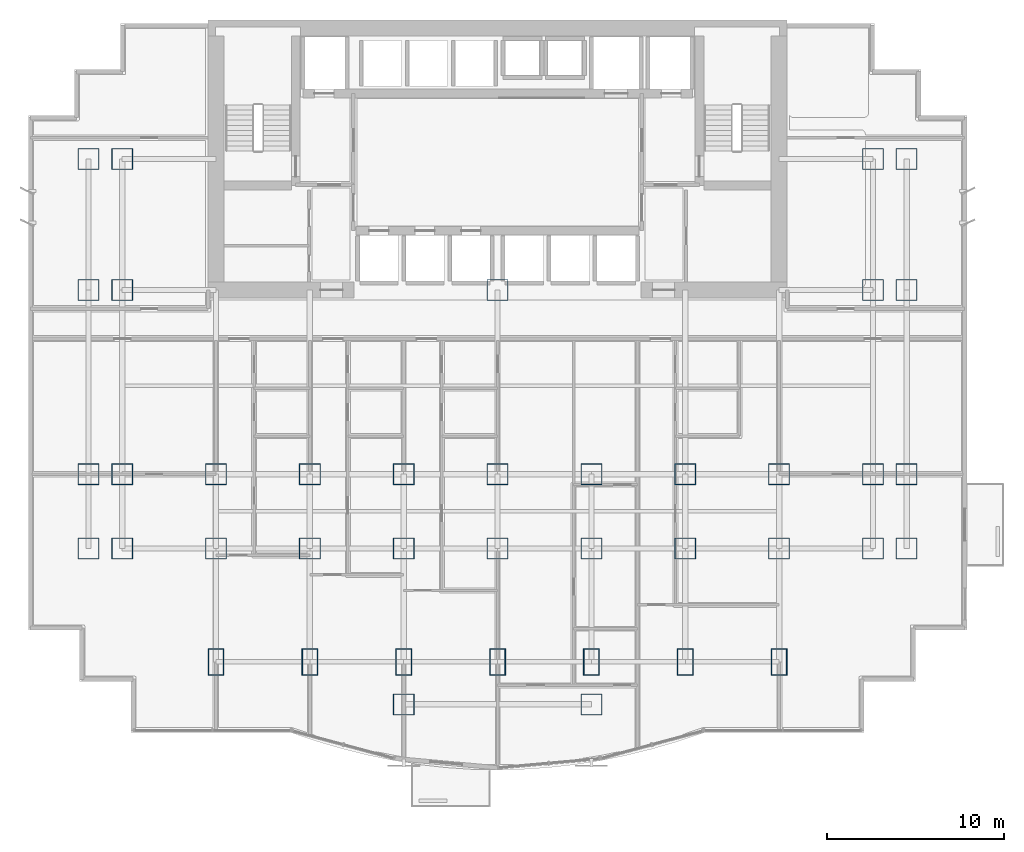
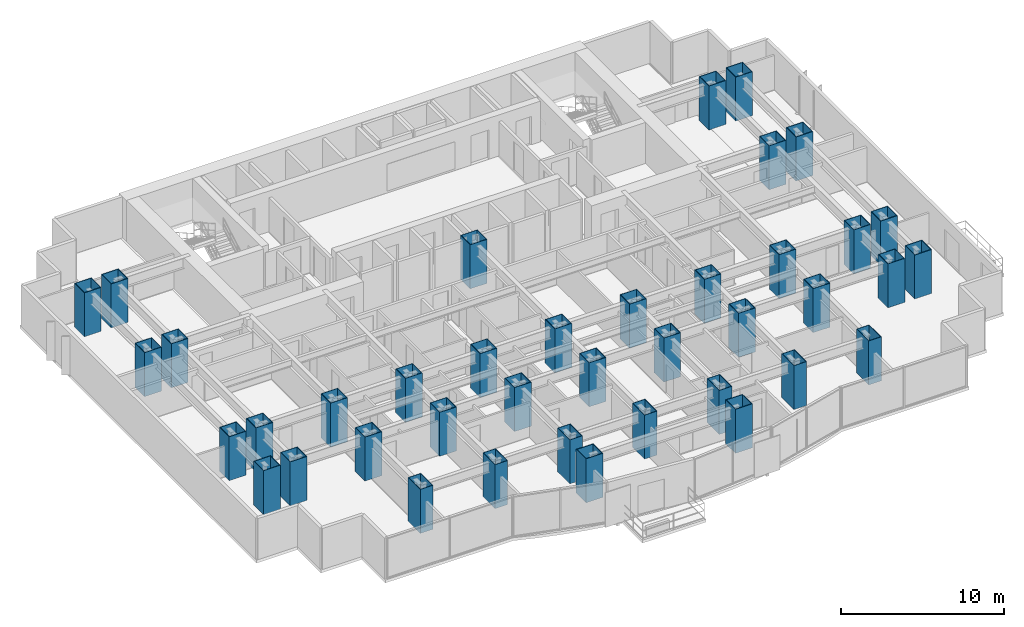
# One storey, part 1 of 10: 40 columns.
"""IFC4 building model written with IfcOpenShell, lengths in metres."""

from ifc_helpers import new_model, si_unit, direction, frame, origin, origin_2d, place, context, subcontext, project, spatial, hollow_rectangle, extrude, material, material_profile, profile_set, type_object, element, save


model = new_model("IFC4")

# Units and contexts
model_context = context("Model", 3, precision=1e-05, world=origin(), true_north=direction((0.0, 1.0)))
body_context = subcontext(model_context, "Body", "Model", "MODEL_VIEW")
ifc_project = project(units=[si_unit("LENGTHUNIT", "METRE"), si_unit("AREAUNIT", "SQUARE_METRE"), si_unit("VOLUMEUNIT", "CUBIC_METRE"), si_unit("PLANEANGLEUNIT", "RADIAN"), si_unit("MASSUNIT", "GRAM", prefix="KILO")], contexts=[model_context])

# Site, building, storey
site_placement = place(None, origin())
site = spatial("IfcSite", under=ifc_project, at=site_placement, CompositionType="ELEMENT")
building_placement = place(site_placement, origin())
building = spatial("IfcBuilding", under=site, at=building_placement, Name="Qianlan Lanfeng Residences", CompositionType="ELEMENT")
storey_placement = place(building_placement, frame((0.0, 0.0, 34.10009765625)))
storey = spatial("IfcBuildingStorey", under=building, at=storey_placement, Name="L08", CompositionType="ELEMENT", Elevation=34.10009765625)

# Columns
ifc_material_1 = material(Name="Steel SM570 (420 MPa)", Category="steel")
ifc_material_profile_1 = material_profile(ifc_material_1, hollow_rectangle(XDim=1.199951171875, YDim=1.199951171875, WallThickness=0.0400390625, at=origin_2d()), Name="BOX 1200x1200x40")
ifc_profile_set_1 = profile_set([ifc_material_profile_1], Name="Steel SM570 (420 MPa)")
column_type_1 = type_object("IfcColumnType", Name="C-B1400", PredefinedType="COLUMN", material=ifc_profile_set_1)
for number, where, z_axis, x_axis, name in (
    (1, (26.5, 25.199951171875, 0.0), (0.0, 0.0, 1.0), (1.0, 0.0, 0.0), "L08 Structural Column CP_26.5_25.2"),
    (2, (10.60009765625, 14.800048828125, 0.0), (0.0, 0.0, 1.0), (1.0, 0.0, 0.0), "L08 Structural Column M_10.60_14.80"),
    (3, (10.60009765625, 10.60009765625, 0.0), (0.0, 0.0, 1.0), (1.0, 0.0, 0.0), "L08 Structural Column G_10.60_10.60"),
    (4, (15.89990234375, 14.800048828125, 0.0), (0.0, 0.0, 1.0), (1.0, 0.0, 0.0), "L08 Structural Column M_15.90_14.80"),
    (5, (15.89990234375, 10.60009765625, 0.0), (0.0, 0.0, 1.0), (1.0, 0.0, 0.0), "L08 Structural Column G_15.90_10.60"),
    (6, (21.199951171875, 14.800048828125, 0.0), (0.0, 0.0, 1.0), (1.0, 0.0, 0.0), "L08 Structural Column M_21.20_14.80"),
    (7, (21.199951171875, 10.60009765625, 0.0), (0.0, 0.0, 1.0), (1.0, 0.0, 0.0), "L08 Structural Column G_21.20_10.60"),
    (8, (26.5, 14.800048828125, 0.0), (0.0, 0.0, 1.0), (1.0, 0.0, 0.0), "L08 Structural Column M_26.50_14.80"),
    (9, (26.5, 10.60009765625, 0.0), (0.0, 0.0, 1.0), (1.0, 0.0, 0.0), "L08 Structural Column G_26.50_10.60"),
    (10, (31.800048828125, 14.800048828125, 0.0), (0.0, 0.0, 1.0), (1.0, 0.0, 0.0), "L08 Structural Column M_31.80_14.80"),
    (11, (31.800048828125, 10.60009765625, 0.0), (0.0, 0.0, 1.0), (1.0, 0.0, 0.0), "L08 Structural Column G_31.80_10.60"),
    (12, (37.10009765625, 14.800048828125, 0.0), (0.0, 0.0, 1.0), (1.0, 0.0, 0.0), "L08 Structural Column M_37.10_14.80"),
    (13, (37.10009765625, 10.60009765625, 0.0), (0.0, 0.0, 1.0), (1.0, 0.0, 0.0), "L08 Structural Column G_37.10_10.60"),
    (14, (42.39990234375, 14.800048828125, 0.0), (0.0, 0.0, 1.0), (1.0, 0.0, 0.0), "L08 Structural Column M_42.40_14.80"),
    (15, (42.39990234375, 10.60009765625, 0.0), (0.0, 0.0, 1.0), (1.0, 0.0, 0.0), "L08 Structural Column G_42.40_10.60"),
    (16, (21.199951171875, 1.800048828125, 0.0), (0.0, 0.0, 1.0), (1.0, 0.0, 0.0), "L08 Structural Column P_21.20_1.80"),
    (17, (31.800048828125, 1.800048828125, 0.0), (0.0, 0.0, 1.0), (1.0, 0.0, 0.0), "L08 Structural Column P_31.80_1.80"),
    (18, (3.39990234375, 10.60009765625, 0.0), (0.0, 0.0, 1.0), (1.0, 0.0, 0.0), "L08 Structural Column W_3.40_10.60"),
    (19, (3.39990234375, 14.800048828125, 0.0), (0.0, 0.0, 1.0), (1.0, 0.0, 0.0), "L08 Structural Column W_3.40_14.80"),
    (20, (3.39990234375, 25.199951171875, 0.0), (0.0, 0.0, 1.0), (1.0, 0.0, 0.0), "L08 Structural Column W_3.40_25.20"),
    (21, (3.39990234375, 32.60009765625, 0.0), (0.0, 0.0, 1.0), (1.0, 0.0, 0.0), "L08 Structural Column W_3.40_32.60"),
    (22, (5.300048828125, 10.60009765625, 0.0), (0.0, 0.0, 1.0), (1.0, 0.0, 0.0), "L08 Structural Column W_5.30_10.60"),
    (23, (5.300048828125, 14.800048828125, 0.0), (0.0, 0.0, 1.0), (1.0, 0.0, 0.0), "L08 Structural Column W_5.30_14.80"),
    (24, (5.300048828125, 25.199951171875, 0.0), (0.0, 0.0, 1.0), (1.0, 0.0, 0.0), "L08 Structural Column W_5.30_25.20"),
    (25, (5.300048828125, 32.60009765625, 0.0), (0.0, 0.0, 1.0), (1.0, 0.0, 0.0), "L08 Structural Column W_5.30_32.60"),
    (26, (47.699951171875, 10.60009765625, 0.0), (0.0, 0.0, 1.0), (1.0, 0.0, 0.0), "L08 Structural Column W_47.70_10.60"),
    (27, (47.699951171875, 14.800048828125, 0.0), (0.0, 0.0, 1.0), (1.0, 0.0, 0.0), "L08 Structural Column W_47.70_14.80"),
    (28, (47.699951171875, 25.199951171875, 0.0), (0.0, 0.0, 1.0), (1.0, 0.0, 0.0), "L08 Structural Column W_47.70_25.20"),
    (29, (47.699951171875, 32.60009765625, 0.0), (0.0, 0.0, 1.0), (1.0, 0.0, 0.0), "L08 Structural Column W_47.70_32.60"),
    (30, (49.60009765625, 10.60009765625, 0.0), (0.0, 0.0, 1.0), (1.0, 0.0, 0.0), "L08 Structural Column W_49.60_10.60"),
    (31, (49.60009765625, 14.800048828125, 0.0), (0.0, 0.0, 1.0), (1.0, 0.0, 0.0), "L08 Structural Column W_49.60_14.80"),
    (32, (49.60009765625, 25.199951171875, 0.0), (0.0, 0.0, 1.0), (1.0, 0.0, 0.0), "L08 Structural Column W_49.60_25.20"),
    (33, (49.60009765625, 32.60009765625, 0.0), (0.0, 0.0, 1.0), (1.0, 0.0, 0.0), "L08 Structural Column W_49.60_32.60"),
):
    element("IfcColumn", number, at=place(storey_placement, frame(where, z_axis=z_axis, x_axis=x_axis)), inside=storey, type_object=column_type_1, Name=name, PredefinedType="COLUMN", context=body_context, shape_type="SweptSolid", body=[
        extrude(hollow_rectangle(XDim=1.199951171875, YDim=1.199951171875, WallThickness=0.0400390625, at=origin_2d()), origin(), (0.0, 0.0, 1.0), 3.2998046875),
    ])
ifc_material_2 = material(Name="Steel SN490B", Category="steel")
ifc_material_profile_2 = material_profile(ifc_material_2, hollow_rectangle(XDim=0.89990234375, YDim=1.5, WallThickness=0.035888671875, at=origin_2d()), Name="BOX 1500x900x36")
ifc_profile_set_2 = profile_set([ifc_material_profile_2], Name="Steel SN490B")
column_type_2 = type_object("IfcColumnType", Name="CE-B1250", PredefinedType="COLUMN", material=ifc_profile_set_2)
for number, where, z_axis, x_axis, name in (
    (34, (10.60009765625, 4.199951171875, 0.0), (0.0, 0.0, 1.0), (1.0, 0.0, 0.0), "L08 Structural Column S_10.60_4.20"),
    (35, (15.89990234375, 4.199951171875, 0.0), (0.0, 0.0, 1.0), (1.0, 0.0, 0.0), "L08 Structural Column S_15.90_4.20"),
    (36, (21.199951171875, 4.199951171875, 0.0), (0.0, 0.0, 1.0), (1.0, 0.0, 0.0), "L08 Structural Column S_21.20_4.20"),
    (37, (26.5, 4.199951171875, 0.0), (0.0, 0.0, 1.0), (1.0, 0.0, 0.0), "L08 Structural Column S_26.50_4.20"),
    (38, (31.800048828125, 4.199951171875, 0.0), (0.0, 0.0, 1.0), (1.0, 0.0, 0.0), "L08 Structural Column S_31.80_4.20"),
    (39, (37.10009765625, 4.199951171875, 0.0), (0.0, 0.0, 1.0), (1.0, 0.0, 0.0), "L08 Structural Column S_37.10_4.20"),
    (40, (42.39990234375, 4.199951171875, 0.0), (0.0, 0.0, 1.0), (1.0, 0.0, 0.0), "L08 Structural Column S_42.40_4.20"),
):
    element("IfcColumn", number, at=place(storey_placement, frame(where, z_axis=z_axis, x_axis=x_axis)), inside=storey, type_object=column_type_2, Name=name, PredefinedType="COLUMN", context=body_context, shape_type="SweptSolid", body=[
        extrude(hollow_rectangle(XDim=0.89990234375, YDim=1.5, WallThickness=0.035888671875, at=origin_2d()), origin(), (0.0, 0.0, 1.0), 3.2998046875),
    ])

save(model, "model.ifc")
